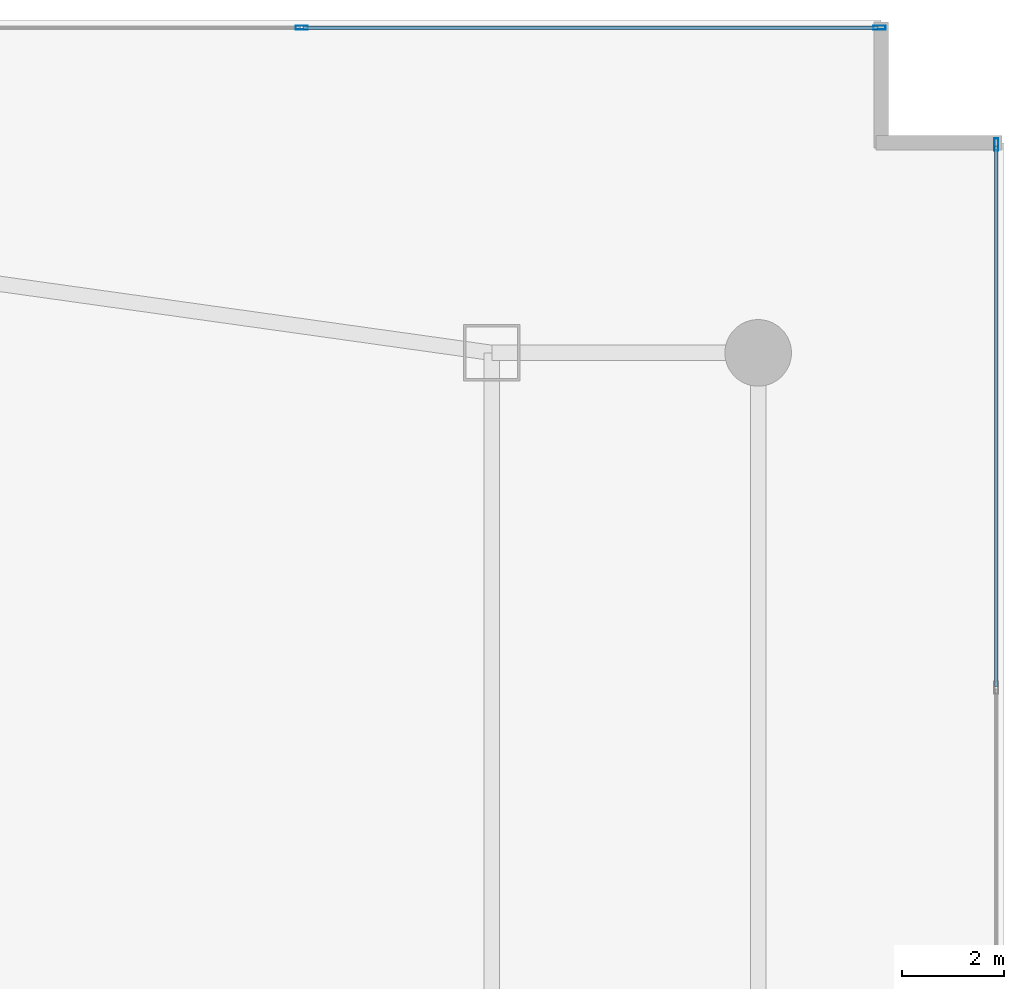
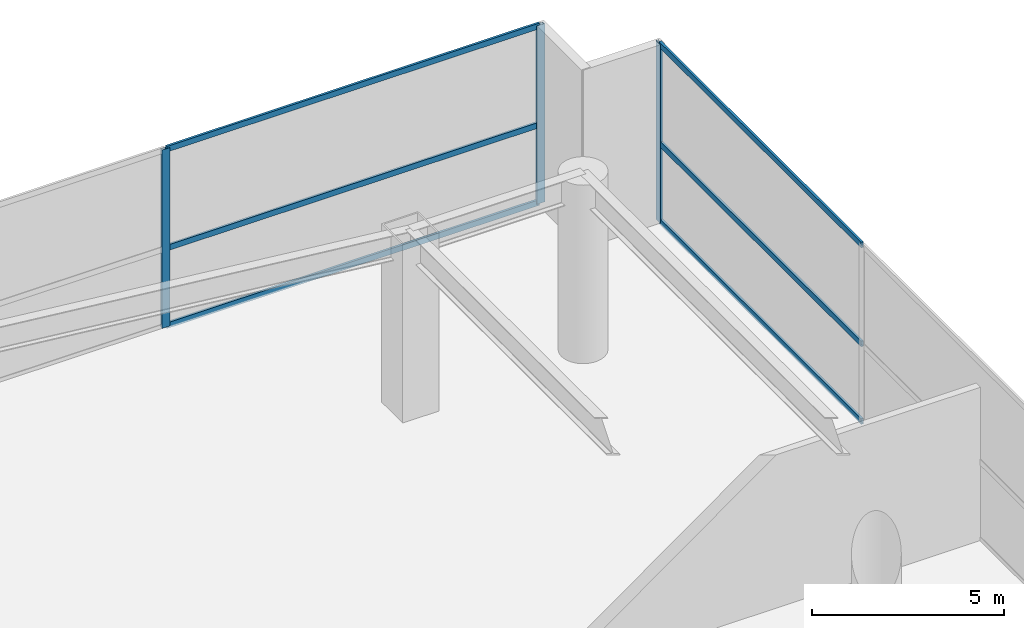
# One storey, part 28 of 35: 9 members, 2 elements without a shape of their own.
"""IFC4 building model written with IfcOpenShell, lengths in metres."""

import ifcopenshell
import ifcopenshell.guid

model = None  # the IFC model being written
_history = None  # IfcOwnerHistory: only IFC2X3 demands one
_inside = {}  # id of a spatial element -> (the spatial element, [elements in it])
_under = {}  # id of a project, library or spatial element -> (it, [spatial elements below it])
_declared = {}  # id of a project -> (the project, [libraries it declares])
_typed = {}  # id of a type object -> (the type object, [elements of that type])
_made_of = {}  # id of a material, layer set ... -> (it, [elements and type objects made of it])


def new_model(schema):
    """Start an empty IFC model of exactly this schema.

    Asked for "IFC4X3", IfcOpenShell would pick the latest addendum, in which some entities
    have other attributes; the version numbers below select the first issue.
    IFC2X3 requires an IfcOwnerHistory on every rooted entity: one is made here for all.
    """
    global model, _history
    if schema == "IFC4X3":
        model = ifcopenshell.file(schema_version=(4, 3, 0, 0))
    else:
        model = ifcopenshell.file(schema=schema)
    _inside.clear()
    _under.clear()
    _declared.clear()
    _typed.clear()
    _made_of.clear()
    _history = None
    if model.schema == "IFC2X3":
        org = make("IfcOrganization", Name="unknown")
        user = make(
            "IfcPersonAndOrganization",
            ThePerson=make("IfcPerson", FamilyName="unknown"),
            TheOrganization=org,
        )
        app = make(
            "IfcApplication",
            ApplicationDeveloper=org,
            Version="unknown",
            ApplicationFullName="unknown",
            ApplicationIdentifier="unknown",
        )
        _history = make(
            "IfcOwnerHistory",
            OwningUser=user,
            OwningApplication=app,
            ChangeAction="ADDED",
            CreationDate=0,
        )
    return model


def make(cls, **values):
    """One entity of the class cls with the attributes given. An attribute that is None is left unset."""
    return model.create_entity(
        cls, **{name: value for name, value in values.items() if value is not None}
    )


def rooted(cls, **values):
    """An entity with a GlobalId (a new one), such as an element, a storey or a relation."""
    return make(cls, GlobalId=ifcopenshell.guid.new(), OwnerHistory=_history, **values)


def si_unit(unit_type, name, prefix=None):
    """IfcSIUnit, for example si_unit("LENGTHUNIT", "METRE", prefix="MILLI")."""
    return make("IfcSIUnit", UnitType=unit_type, Prefix=prefix, Name=name)


def assignment(units):
    """IfcUnitAssignment: the units of a project."""
    return None if units is None else make("IfcUnitAssignment", Units=units)


def point(xyz):
    """IfcCartesianPoint."""
    return None if xyz is None else make("IfcCartesianPoint", Coordinates=xyz)


def direction(xyz):
    """IfcDirection."""
    return None if xyz is None else make("IfcDirection", DirectionRatios=xyz)


def frame(location, z_axis=None, x_axis=None):
    """IfcAxis2Placement3D, a coordinate frame: its origin and axes. An axis left out is left unset."""
    return make(
        "IfcAxis2Placement3D",
        Location=point(location),
        Axis=direction(z_axis),
        RefDirection=direction(x_axis),
    )


def frame_2d(location, x_axis=None):
    """IfcAxis2Placement2D, a coordinate frame in the plane: its origin and x axis."""
    return make(
        "IfcAxis2Placement2D", Location=point(location), RefDirection=direction(x_axis)
    )


def origin():
    """The frame at (0, 0, 0) with its axes left unset."""
    return frame((0.0, 0.0, 0.0))


def origin_2d():
    """The frame at (0, 0) in the plane with its x axis left unset."""
    return frame_2d((0.0, 0.0))


def place(relative_to, where):
    """IfcLocalPlacement: puts the frame where relative to a parent placement (None: the world)."""
    return make(
        "IfcLocalPlacement", PlacementRelTo=relative_to, RelativePlacement=where
    )


def context(
    kind, dimensions, precision=None, world=None, true_north=None, identifier=None
):
    """IfcGeometricRepresentationContext, for example the 3D "Model" context."""
    return make(
        "IfcGeometricRepresentationContext",
        ContextIdentifier=identifier,
        ContextType=kind,
        CoordinateSpaceDimension=dimensions,
        Precision=precision,
        WorldCoordinateSystem=world,
        TrueNorth=true_north,
    )


def subcontext(parent, identifier, kind, view, scale=None):
    """IfcGeometricRepresentationSubContext, for example "Body" below "Model"."""
    return make(
        "IfcGeometricRepresentationSubContext",
        ContextIdentifier=identifier,
        ContextType=kind,
        ParentContext=parent,
        TargetScale=scale,
        TargetView=view,
    )


def project(units=None, contexts=None):
    """IfcProject with its units and contexts."""
    return rooted(
        "IfcProject",
        Name="project",
        RepresentationContexts=contexts,
        UnitsInContext=assignment(units),
    )


def spatial(cls, under=None, at=None, **own):
    """A site, building, storey or space (cls), placed at a placement, below another one or the project."""
    s = rooted(cls, ObjectPlacement=at, **own)
    if under is not None:
        _under.setdefault(under.id(), (under, []))[1].append(s)
    return s


def profile(cls, at=None, kind="AREA", **sizes):
    """A parametric profile (cls). Its sizes go by their IFC names, for example OverallWidth=200.0."""
    return make(cls, ProfileType=kind, Position=at, **sizes)


def hollow_rectangle(**sizes):
    """IfcRectangleHollowProfileDef."""
    return profile("IfcRectangleHollowProfileDef", **sizes)


def extrude(swept, where, along, depth):
    """IfcExtrudedAreaSolid: the profile swept, set in the frame where, extruded along a direction by depth."""
    return make(
        "IfcExtrudedAreaSolid",
        SweptArea=swept,
        Position=where,
        ExtrudedDirection=direction(along),
        Depth=depth,
    )


def shape(context_of_items, identifier, shape_type, items):
    """IfcShapeRepresentation: the items that make up one representation, for example the "Body"."""
    return make(
        "IfcShapeRepresentation",
        ContextOfItems=context_of_items,
        RepresentationIdentifier=identifier,
        RepresentationType=shape_type,
        Items=items,
    )


def material(Name=None, Category=None):
    """IfcMaterial."""
    return make("IfcMaterial", Name=Name, Category=Category)


def layer(
    of_material, thickness, ventilated=None, Name=None, Category=None, Priority=None
):
    """IfcMaterialLayer: one layer of a wall or slab, of a material (None: an air gap)."""
    return make(
        "IfcMaterialLayer",
        Material=of_material,
        LayerThickness=thickness,
        IsVentilated=ventilated,
        Name=Name,
        Category=Category,
        Priority=Priority,
    )


def layer_set(layers, Name=None):
    """IfcMaterialLayerSet."""
    return make("IfcMaterialLayerSet", MaterialLayers=layers, LayerSetName=Name)


def material_profile(
    of_material, cross_section, Name=None, Category=None, Priority=None
):
    """IfcMaterialProfile: a cross section and its material."""
    return make(
        "IfcMaterialProfile",
        Name=Name,
        Material=of_material,
        Profile=cross_section,
        Priority=Priority,
        Category=Category,
    )


def profile_set(profiles, Name=None, composite=None):
    """IfcMaterialProfileSet."""
    return make(
        "IfcMaterialProfileSet",
        Name=Name,
        MaterialProfiles=profiles,
        CompositeProfile=composite,
    )


def made_of(thing, what):
    """Note that an element or type object is made of a material, layer set ...; save() writes the relation."""
    if what is not None:
        _made_of.setdefault(what.id(), (what, []))[1].append(thing)
    return thing


def type_object(cls, material=None, **own):
    """A type object (cls), such as IfcWallType, which elements share."""
    return made_of(rooted(cls, **own), material)


def element(
    cls,
    number,
    at=None,
    inside=None,
    cuts=None,
    type_object=None,
    material=None,
    context=None,
    identifier="Body",
    shape_type=None,
    held_by="IfcProductDefinitionShape",
    body=None,
    shapes=None,
    **own,
):
    """One element of the class cls, such as IfcWall. Its Tag is "e" and its number.

    at: its placement. inside: the storey or other place that contains it. cuts: it is an
    opening in that element (IfcRelVoidsElement). A single representation is given by context,
    identifier, shape_type and body (its items); several are given by shapes. held_by: the class
    of the entity that holds the representations. save() writes the other relations.
    """
    e = rooted(cls, Tag="e%d" % number, ObjectPlacement=at, **own)
    if body is not None:
        shapes = [shape(context, identifier, shape_type, body)]
    if shapes is not None:
        e.Representation = make(held_by, Representations=shapes)
    if inside is not None:
        _inside.setdefault(inside.id(), (inside, []))[1].append(e)
    if cuts is not None:
        rooted(
            "IfcRelVoidsElement", RelatingBuildingElement=cuts, RelatedOpeningElement=e
        )
    if type_object is not None:
        _typed.setdefault(type_object.id(), (type_object, []))[1].append(e)
    return made_of(e, material)


def aggregate(whole, parts):
    """IfcRelAggregates: a whole, such as a stair, and the parts it consists of."""
    return rooted("IfcRelAggregates", RelatingObject=whole, RelatedObjects=parts)


def save(model, path):
    """Write the relations noted so far, then the file.

    IfcRelAggregates (storeys below a building ...), IfcRelContainedInSpatialStructure (elements
    in a storey), IfcRelDefinesByType, IfcRelAssociatesMaterial and IfcRelDeclares: one each for
    every whole, place, type object, material and project.
    """
    for whole, parts in _under.values():
        aggregate(whole, parts)
    for where, things in _inside.values():
        rooted(
            "IfcRelContainedInSpatialStructure",
            RelatedElements=things,
            RelatingStructure=where,
        )
    for kind, things in _typed.values():
        rooted("IfcRelDefinesByType", RelatedObjects=things, RelatingType=kind)
    for what, things in _made_of.values():
        rooted("IfcRelAssociatesMaterial", RelatedObjects=things, RelatingMaterial=what)
    for by, libraries in _declared.values():
        rooted("IfcRelDeclares", RelatingContext=by, RelatedDefinitions=libraries)
    model.write(path)


model = new_model("IFC4")

# Units and contexts
model_context = context("Model", 3, precision=1e-05, world=origin(), true_north=direction((0.0, 1.0)))
body_context = subcontext(model_context, "Body", "Model", "MODEL_VIEW")
ifc_project = project(units=[si_unit("LENGTHUNIT", "METRE"), si_unit("AREAUNIT", "SQUARE_METRE"), si_unit("VOLUMEUNIT", "CUBIC_METRE"), si_unit("PLANEANGLEUNIT", "RADIAN"), si_unit("MASSUNIT", "GRAM", prefix="KILO")], contexts=[model_context])

# Site, building, storey
site_placement = place(None, origin())
site = spatial("IfcSite", under=ifc_project, at=site_placement, CompositionType="ELEMENT")
building_placement = place(site_placement, origin())
building = spatial("IfcBuilding", under=site, at=building_placement, Name="Calvorn Quay Hotel", CompositionType="ELEMENT")
storey_placement = place(building_placement, frame((0.0, 0.0, 6.0)))
storey = spatial("IfcBuildingStorey", under=building, at=storey_placement, Name="L01", CompositionType="ELEMENT", Elevation=6.0)

# Curtain wall, members
ifc_material_1 = material(Name="Pale Anodised Aluminium and Low-E Glass", Category="aluminium")
ifc_layer = layer(ifc_material_1, 0.219970703125)
ifc_layer_set = layer_set([ifc_layer], Name="CW-SYS-POD")
curtain_wall_type = type_object("IfcCurtainWallType", Name="CW-SYS-POD", PredefinedType="NOTDEFINED", material=ifc_layer_set)
curtain_wall_1_placement = place(storey_placement, origin())
curtain_wall_1 = element("IfcCurtainWall", 1, at=curtain_wall_1_placement, inside=storey, type_object=curtain_wall_type, Name="Podium Curtain Wall L01-N1", PredefinedType="NOTDEFINED")
ifc_material_2 = material(Name="Pale Anodised Aluminium 6063-T6", Category="aluminium")
ifc_material_profile_1 = material_profile(ifc_material_2, hollow_rectangle(XDim=0.080078125, YDim=0.239990234375, WallThickness=0.0048828125, at=origin_2d()), Name="ALU-M240x80x5")
ifc_profile_set_1 = profile_set([ifc_material_profile_1], Name="Pale Anodised Aluminium 6063-T6")
member_type_1 = type_object("IfcMemberType", Name="CW-SYS-POD-MUL", PredefinedType="MULLION", material=ifc_profile_set_1)
member_1_placement = place(storey_placement, frame((70.28564453125, 57.85009765625, 0.0), z_axis=(0.0, 0.0, 1.0), x_axis=(0.0, 1.0, 0.0)))
member_1 = element("IfcMember", 2, at=member_1_placement, type_object=member_type_1, Name="CW-L01-N1 mullion 7", PredefinedType="MULLION", context=body_context, shape_type="SweptSolid", body=[
    extrude(hollow_rectangle(XDim=0.080078125, YDim=0.239990234375, WallThickness=0.0048828125, at=origin_2d()), origin(), (0.0, 0.0, 1.0), 5.679931640625),
])
member_2_placement = place(storey_placement, frame((81.570068359375, 57.85009765625, 0.0), z_axis=(0.0, 0.0, 1.0), x_axis=(0.0, 1.0, 0.0)))
member_2 = element("IfcMember", 3, at=member_2_placement, type_object=member_type_1, Name="CW-L01-N1 mullion 8", PredefinedType="MULLION", context=body_context, shape_type="SweptSolid", body=[
    extrude(hollow_rectangle(XDim=0.080078125, YDim=0.239990234375, WallThickness=0.0048828125, at=origin_2d()), origin(), (0.0, 0.0, 1.0), 5.679931640625),
])

# Curtain wall, member
curtain_wall_2_placement = place(storey_placement, origin())
curtain_wall_2 = element("IfcCurtainWall", 4, at=curtain_wall_2_placement, inside=storey, type_object=curtain_wall_type, Name="Podium Curtain Wall L01-E1", PredefinedType="NOTDEFINED")
member_3_placement = place(storey_placement, frame((83.85009765625, 55.570068359375, 0.0), z_axis=(0.0, 0.0, 1.0), x_axis=(-1.0, 0.0, 0.0)))
member_3 = element("IfcMember", 5, at=member_3_placement, type_object=member_type_1, Name="CW-L01-E1 mullion 6", PredefinedType="MULLION", context=body_context, shape_type="SweptSolid", body=[
    extrude(hollow_rectangle(XDim=0.080078125, YDim=0.239990234375, WallThickness=0.0048828125, at=origin_2d()), origin(), (0.0, 0.0, 1.0), 5.679931640625),
])

# Member
ifc_material_3 = material(Name="Pale Anodised Aluminium 6063-T6", Category="aluminium")
ifc_material_profile_2 = material_profile(ifc_material_3, hollow_rectangle(XDim=0.070068359375, YDim=0.179931640625, WallThickness=0.00390625, at=origin_2d()), Name="ALU-T180x70x4")
ifc_profile_set_2 = profile_set([ifc_material_profile_2], Name="Pale Anodised Aluminium 6063-T6")
member_type_2 = type_object("IfcMemberType", Name="CW-SYS-POD-TRN", PredefinedType="USERDEFINED", material=ifc_profile_set_2)
member_4_placement = place(storey_placement, frame((70.315673828125, 57.85009765625, 0.030029296875), z_axis=(1.0, 0.0, 0.0), x_axis=(0.0, 1.0, 0.0)))
member_4 = element("IfcMember", 6, at=member_4_placement, type_object=member_type_2, Name="CW-L01-N1 transom 7.1", ObjectType="TRANSOM", PredefinedType="USERDEFINED", context=body_context, shape_type="SweptSolid", body=[
    extrude(hollow_rectangle(XDim=0.070068359375, YDim=0.179931640625, WallThickness=0.00390625, at=origin_2d()), origin(), (0.0, 0.0, 1.0), 11.224365234375),
])

member_5_placement = place(storey_placement, frame((70.315673828125, 57.85009765625, 2.5), z_axis=(1.0, 0.0, 0.0), x_axis=(0.0, 1.0, 0.0)))
member_5 = element("IfcMember", 7, at=member_5_placement, type_object=member_type_2, Name="CW-L01-N1 transom 7.2", ObjectType="TRANSOM", PredefinedType="USERDEFINED", context=body_context, shape_type="SweptSolid", body=[
    extrude(hollow_rectangle(XDim=0.070068359375, YDim=0.179931640625, WallThickness=0.00390625, at=origin_2d()), origin(), (0.0, 0.0, 1.0), 11.224365234375),
])

member_6_placement = place(storey_placement, frame((70.315673828125, 57.85009765625, 5.64990234375), z_axis=(1.0, 0.0, 0.0), x_axis=(0.0, 1.0, 0.0)))
member_6 = element("IfcMember", 8, at=member_6_placement, type_object=member_type_2, Name="CW-L01-N1 transom 7.3", ObjectType="TRANSOM", PredefinedType="USERDEFINED", context=body_context, shape_type="SweptSolid", body=[
    extrude(hollow_rectangle(XDim=0.070068359375, YDim=0.179931640625, WallThickness=0.00390625, at=origin_2d()), origin(), (0.0, 0.0, 1.0), 11.224365234375),
])

aggregate(curtain_wall_1, [member_1, member_2, member_4, member_5, member_6])

member_7_placement = place(storey_placement, frame((83.85009765625, 44.989990234375, 0.030029296875), z_axis=(0.0, 1.0, 0.0), x_axis=(-1.0, 0.0, 0.0)))
member_7 = element("IfcMember", 9, at=member_7_placement, type_object=member_type_2, Name="CW-L01-E1 transom 5.1", ObjectType="TRANSOM", PredefinedType="USERDEFINED", context=body_context, shape_type="SweptSolid", body=[
    extrude(hollow_rectangle(XDim=0.070068359375, YDim=0.179931640625, WallThickness=0.00390625, at=origin_2d()), origin(), (0.0, 0.0, 1.0), 10.550048828125),
])

member_8_placement = place(storey_placement, frame((83.85009765625, 44.989990234375, 2.5), z_axis=(0.0, 1.0, 0.0), x_axis=(-1.0, 0.0, 0.0)))
member_8 = element("IfcMember", 10, at=member_8_placement, type_object=member_type_2, Name="CW-L01-E1 transom 5.2", ObjectType="TRANSOM", PredefinedType="USERDEFINED", context=body_context, shape_type="SweptSolid", body=[
    extrude(hollow_rectangle(XDim=0.070068359375, YDim=0.179931640625, WallThickness=0.00390625, at=origin_2d()), origin(), (0.0, 0.0, 1.0), 10.550048828125),
])

member_9_placement = place(storey_placement, frame((83.85009765625, 44.989990234375, 5.64990234375), z_axis=(0.0, 1.0, 0.0), x_axis=(-1.0, 0.0, 0.0)))
member_9 = element("IfcMember", 11, at=member_9_placement, type_object=member_type_2, Name="CW-L01-E1 transom 5.3", ObjectType="TRANSOM", PredefinedType="USERDEFINED", context=body_context, shape_type="SweptSolid", body=[
    extrude(hollow_rectangle(XDim=0.070068359375, YDim=0.179931640625, WallThickness=0.00390625, at=origin_2d()), origin(), (0.0, 0.0, 1.0), 10.550048828125),
])

aggregate(curtain_wall_2, [member_3, member_7, member_8, member_9])

save(model, "model.ifc")
